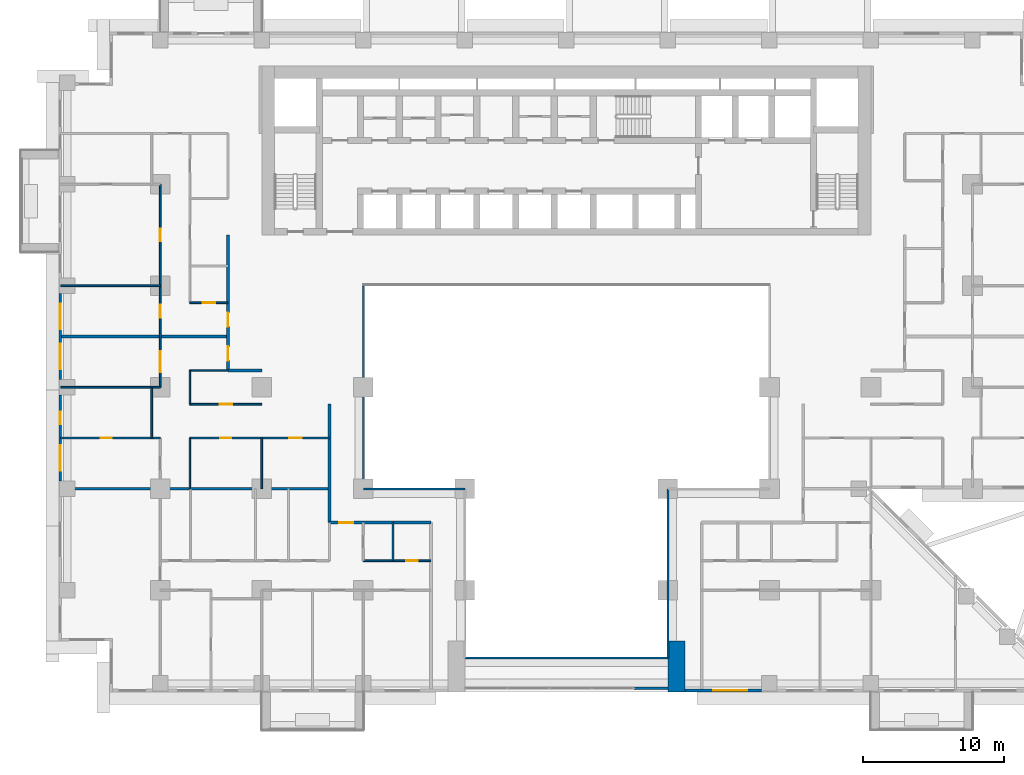
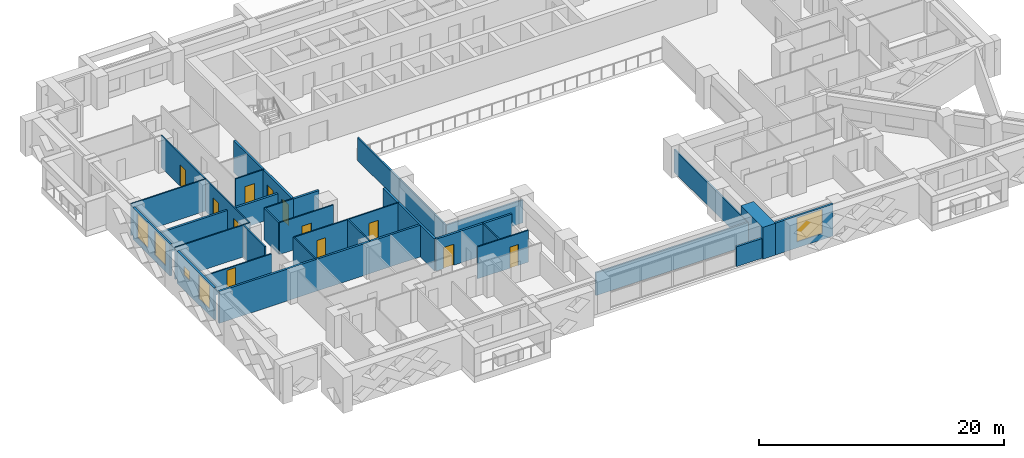
# One storey, part 7 of 17: 29 walls, 12 doors, 5 windows, 17 openings.
"""IFC4 building model written with IfcOpenShell, lengths in metres."""

from ifc_helpers import new_model, si_unit, direction, frame, frame_2d, origin, place, context, subcontext, project, spatial, rectangle, extrude, material, layer, layer_set, type_object, element, fill, save


model = new_model("IFC4")

# Units and contexts
model_context = context("Model", 3, precision=1e-05, world=origin(), true_north=direction((0.0, 1.0)))
body_context = subcontext(model_context, "Body", "Model", "MODEL_VIEW")
ifc_project = project(units=[si_unit("LENGTHUNIT", "METRE"), si_unit("AREAUNIT", "SQUARE_METRE"), si_unit("VOLUMEUNIT", "CUBIC_METRE"), si_unit("PLANEANGLEUNIT", "RADIAN"), si_unit("MASSUNIT", "GRAM", prefix="KILO")], contexts=[model_context])

# Site, building, storey
site_placement = place(None, origin())
site = spatial("IfcSite", under=ifc_project, at=site_placement, CompositionType="ELEMENT")
building_placement = place(site_placement, origin())
building = spatial("IfcBuilding", under=site, at=building_placement, Name="Saffron Iwan Residences", CompositionType="ELEMENT")
storey_placement = place(building_placement, frame((0.0, 0.0, 55.0)))
storey = spatial("IfcBuildingStorey", under=building, at=storey_placement, Name="L13", CompositionType="ELEMENT", Elevation=55.0)

# Walls
ifc_material_1 = material(Name="Fire-rated glazing", Category="glass")
ifc_layer_1 = layer(ifc_material_1, 0.14990234375)
ifc_layer_set_1 = layer_set([ifc_layer_1], Name="Fire-rated glazing")
wall_type_1 = type_object("IfcWallType", Name="Atrium glazed screen 150", PredefinedType="SOLIDWALL", material=ifc_layer_set_1)
wall_1_placement = place(storey_placement, frame((43.199951171875, 36.0, 0.0), z_axis=(0.0, 0.0, 1.0), x_axis=(1.0, 0.0, 0.0)))
element("IfcWall", 1, at=wall_1_placement, inside=storey, type_object=wall_type_1, Name="W-L13-SCREEN-h36-43.2", PredefinedType="SOLIDWALL", context=body_context, shape_type="SweptSolid", body=[
    extrude(rectangle(XDim=14.400146484375, YDim=0.14990234375, at=frame_2d((7.2001953125, 0.0))), origin(), (0.0, 0.0, 1.0), 2.280029296875),
])
wall_2_placement = place(storey_placement, frame((36.0, 48.0, 0.0), z_axis=(0.0, 0.0, 1.0), x_axis=(1.0, 0.0, 0.0)))
element("IfcWall", 2, at=wall_2_placement, inside=storey, type_object=wall_type_1, Name="W-L13-SCREEN-h48-36", PredefinedType="SOLIDWALL", context=body_context, shape_type="SweptSolid", body=[
    extrude(rectangle(XDim=7.199951171875, YDim=0.14990234375, at=frame_2d((3.60009765625, 0.0))), origin(), (0.0, 0.0, 1.0), 2.280029296875),
])
wall_3_placement = place(storey_placement, frame((36.0, 48.0, 0.0), z_axis=(0.0, 0.0, 1.0), x_axis=(0.0, 1.0, 0.0)))
element("IfcWall", 3, at=wall_3_placement, inside=storey, type_object=wall_type_1, Name="W-L13-SCREEN-v36-48", PredefinedType="SOLIDWALL", context=body_context, shape_type="SweptSolid", body=[
    extrude(rectangle(XDim=14.39990234375, YDim=0.14990234375, at=frame_2d((7.199951171875, 0.0))), origin(), (0.0, 0.0, 1.0), 2.280029296875),
])
wall_4_placement = place(storey_placement, frame((57.60009765625, 36.0, 0.0), z_axis=(0.0, 0.0, 1.0), x_axis=(0.0, 1.0, 0.0)))
element("IfcWall", 4, at=wall_4_placement, inside=storey, type_object=wall_type_1, Name="W-L13-SCREEN-v57.6-36", PredefinedType="SOLIDWALL", context=body_context, shape_type="SweptSolid", body=[
    extrude(rectangle(XDim=12.0, YDim=0.14990234375, at=frame_2d((6.0, 0.0))), origin(), (0.0, 0.0, 1.0), 2.280029296875),
])

# Wall, openings, windows
ifc_material_2 = material(Name="Concrete C40/50", Category="concrete")
ifc_layer_2 = layer(ifc_material_2, 0.199951171875)
ifc_layer_set_2 = layer_set([ifc_layer_2], Name="Concrete C40/50")
wall_type_2 = type_object("IfcWallType", Name="EXTERNAL WALL 200", PredefinedType="SOLIDWALL", material=ifc_layer_set_2)
wall_5_placement = place(storey_placement, frame((14.5, 61.85009765625, 0.0), z_axis=(0.0, 0.0, 1.0), x_axis=(0.0, -1.0, 0.0)))
wall_5 = element("IfcWall", 5, at=wall_5_placement, inside=storey, type_object=wall_type_2, Name="External wall L13 F8.2", PredefinedType="SOLIDWALL", context=body_context, shape_type="SweptSolid", body=[
    extrude(rectangle(XDim=6.10009765625, YDim=0.199951171875, at=frame_2d((3.050048828125, 0.0))), origin(), (0.0, 0.0, 1.0), 3.179931640625),
])
opening_1_placement = place(wall_5_placement, frame((3.574951171875, 0.0, 0.60009765625)))
opening_1 = element("IfcOpeningElement", 6, at=opening_1_placement, cuts=wall_5, Name="Opening W8", PredefinedType="OPENING", context=body_context, shape_type="SweptSolid", body=[
    extrude(rectangle(XDim=1.800048828125, YDim=2.39990234375, at=frame_2d((0.89990234375, 1.199951171875))), frame((0.0, 0.10986328125, 0.0), z_axis=(0.0, -1.0, 0.0), x_axis=(1.0, 0.0, 0.0)), (0.0, 0.0, 1.0), 0.219970703125),
])
opening_2_placement = place(wall_5_placement, frame((0.72509765625, 0.0, 0.60009765625)))
opening_2 = element("IfcOpeningElement", 7, at=opening_2_placement, cuts=wall_5, Name="Opening W8", PredefinedType="OPENING", context=body_context, shape_type="SweptSolid", body=[
    extrude(rectangle(XDim=1.800048828125, YDim=2.39990234375, at=frame_2d((0.89990234375, 1.199951171875))), frame((0.0, 0.10986328125, 0.0), z_axis=(0.0, -1.0, 0.0), x_axis=(1.0, 0.0, 0.0)), (0.0, 0.0, 1.0), 0.219970703125),
])
ifc_material_3 = material(Name="Clear glass, laminated double glazed", Category="glass")
window_type_1 = type_object("IfcWindowType", Name="WINDOW 1800 x 2400", PartitioningType="DOUBLE_PANEL_VERTICAL", PredefinedType="WINDOW", material=ifc_material_3)
window_1_placement = place(opening_1_placement, origin())
window_1 = element("IfcWindow", 8, at=window_1_placement, inside=storey, type_object=window_type_1, Name="Window L13 F8.0", OverallHeight=2.39990234375, OverallWidth=1.800048828125, PartitioningType="DOUBLE_PANEL_VERTICAL", PredefinedType="WINDOW", context=body_context, shape_type="SweptSolid", body=[
    extrude(rectangle(XDim=1.800048828125, YDim=2.39990234375, at=frame_2d((0.89990234375, 1.199951171875))), frame((0.0, 0.030029296875, 0.0), z_axis=(0.0, -1.0, 0.0), x_axis=(1.0, 0.0, 0.0)), (0.0, 0.0, 1.0), 0.06005859375),
])
fill(opening_1, window_1)
window_2_placement = place(opening_2_placement, origin())
window_2 = element("IfcWindow", 9, at=window_2_placement, inside=storey, type_object=window_type_1, Name="Window L13 F8.1", OverallHeight=2.39990234375, OverallWidth=1.800048828125, PartitioningType="DOUBLE_PANEL_VERTICAL", PredefinedType="WINDOW", context=body_context, shape_type="SweptSolid", body=[
    extrude(rectangle(XDim=1.800048828125, YDim=2.39990234375, at=frame_2d((0.89990234375, 1.199951171875))), frame((0.0, 0.030029296875, 0.0), z_axis=(0.0, -1.0, 0.0), x_axis=(1.0, 0.0, 0.0)), (0.0, 0.0, 1.0), 0.06005859375),
])
fill(opening_2, window_2)

wall_6_placement = place(storey_placement, frame((14.5, 54.64990234375, 0.0), z_axis=(0.0, 0.0, 1.0), x_axis=(0.0, -1.0, 0.0)))
wall_6 = element("IfcWall", 10, at=wall_6_placement, inside=storey, type_object=wall_type_2, Name="External wall L13 F8.3", PredefinedType="SOLIDWALL", context=body_context, shape_type="SweptSolid", body=[
    extrude(rectangle(XDim=6.099853515625, YDim=0.199951171875, at=frame_2d((3.0498046875, 0.0))), origin(), (0.0, 0.0, 1.0), 3.179931640625),
])
opening_3_placement = place(wall_6_placement, frame((3.574951171875, 0.0, 0.60009765625)))
opening_3 = element("IfcOpeningElement", 11, at=opening_3_placement, cuts=wall_6, Name="Opening W8", PredefinedType="OPENING", context=body_context, shape_type="SweptSolid", body=[
    extrude(rectangle(XDim=1.800048828125, YDim=2.39990234375, at=frame_2d((0.89990234375, 1.199951171875))), frame((0.0, 0.10986328125, 0.0), z_axis=(0.0, -1.0, 0.0), x_axis=(1.0, 0.0, 0.0)), (0.0, 0.0, 1.0), 0.219970703125),
])
opening_4_placement = place(wall_6_placement, frame((1.175048828125, 0.0, 1.5)))
opening_4 = element("IfcOpeningElement", 12, at=opening_4_placement, cuts=wall_6, Name="Opening W6", PredefinedType="OPENING", context=body_context, shape_type="SweptSolid", body=[
    extrude(rectangle(XDim=0.89990234375, YDim=0.89990234375, at=frame_2d((0.449951171875, 0.449951171875))), frame((0.0, 0.10986328125, 0.0), z_axis=(0.0, -1.0, 0.0), x_axis=(1.0, 0.0, 0.0)), (0.0, 0.0, 1.0), 0.219970703125),
])
window_3_placement = place(opening_3_placement, origin())
window_3 = element("IfcWindow", 13, at=window_3_placement, inside=storey, type_object=window_type_1, Name="Window L13 F8.0", OverallHeight=2.39990234375, OverallWidth=1.800048828125, PartitioningType="DOUBLE_PANEL_VERTICAL", PredefinedType="WINDOW", context=body_context, shape_type="SweptSolid", body=[
    extrude(rectangle(XDim=1.800048828125, YDim=2.39990234375, at=frame_2d((0.89990234375, 1.199951171875))), frame((0.0, 0.030029296875, 0.0), z_axis=(0.0, -1.0, 0.0), x_axis=(1.0, 0.0, 0.0)), (0.0, 0.0, 1.0), 0.06005859375),
])
fill(opening_3, window_3)
window_type_2 = type_object("IfcWindowType", Name="WINDOW 900 x 900 BATH", PartitioningType="SINGLE_PANEL", PredefinedType="WINDOW", material=ifc_material_3)
window_4_placement = place(opening_4_placement, origin())
window_4 = element("IfcWindow", 14, at=window_4_placement, inside=storey, type_object=window_type_2, Name="Window L13 F8.1", OverallHeight=0.89990234375, OverallWidth=0.89990234375, PartitioningType="SINGLE_PANEL", PredefinedType="WINDOW", context=body_context, shape_type="SweptSolid", body=[
    extrude(rectangle(XDim=0.89990234375, YDim=0.89990234375, at=frame_2d((0.449951171875, 0.449951171875))), frame((0.0, 0.030029296875, 0.0), z_axis=(0.0, -1.0, 0.0), x_axis=(1.0, 0.0, 0.0)), (0.0, 0.0, 1.0), 0.06005859375),
])
fill(opening_4, window_4)

# Wall, opening, window
wall_7_placement = place(storey_placement, frame((58.800048828125, 33.699951171875, 0.0), z_axis=(0.0, 0.0, 1.0), x_axis=(1.0, 0.0, 0.0)))
wall_7 = element("IfcWall", 15, at=wall_7_placement, inside=storey, type_object=wall_type_2, Name="External wall L13 F11.4", PredefinedType="SOLIDWALL", context=body_context, shape_type="SweptSolid", body=[
    extrude(rectangle(XDim=5.449951171875, YDim=0.199951171875, at=frame_2d((2.72509765625, 0.0))), origin(), (0.0, 0.0, 1.0), 3.179931640625),
])
opening_5_placement = place(wall_7_placement, frame((2.02490234375, 0.0, 0.60009765625)))
opening_5 = element("IfcOpeningElement", 16, at=opening_5_placement, cuts=wall_7, Name="Opening W1", PredefinedType="OPENING", context=body_context, shape_type="SweptSolid", body=[
    extrude(rectangle(XDim=2.39990234375, YDim=2.39990234375, at=frame_2d((1.199951171875, 1.199951171875))), frame((0.0, 0.10986328125, 0.0), z_axis=(0.0, -1.0, 0.0), x_axis=(1.0, 0.0, 0.0)), (0.0, 0.0, 1.0), 0.219970703125),
])
window_type_3 = type_object("IfcWindowType", Name="WINDOW 2400 x 2400", PartitioningType="DOUBLE_PANEL_VERTICAL", PredefinedType="WINDOW", material=ifc_material_3)
window_5_placement = place(opening_5_placement, origin())
window_5 = element("IfcWindow", 17, at=window_5_placement, inside=storey, type_object=window_type_3, Name="Window L13 F11.0", OverallHeight=2.39990234375, OverallWidth=2.39990234375, PartitioningType="DOUBLE_PANEL_VERTICAL", PredefinedType="WINDOW", context=body_context, shape_type="SweptSolid", body=[
    extrude(rectangle(XDim=2.39990234375, YDim=2.39990234375, at=frame_2d((1.199951171875, 1.199951171875))), frame((0.0, 0.030029296875, 0.0), z_axis=(0.0, -1.0, 0.0), x_axis=(1.0, 0.0, 0.0)), (0.0, 0.0, 1.0), 0.06005859375),
])
fill(opening_5, window_5)

# Walls
wall_8_placement = place(storey_placement, frame((55.199951171875, 33.85009765625, 0.0), z_axis=(0.0, 0.0, 1.0), x_axis=(1.0, 0.0, 0.0)))
element("IfcWall", 18, at=wall_8_placement, inside=storey, type_object=wall_type_2, Name="External wall infill CWB-L13-0", PredefinedType="SOLIDWALL", context=body_context, shape_type="SweptSolid", body=[
    extrude(rectangle(XDim=2.400146484375, YDim=0.199951171875, at=frame_2d((1.2001953125, 0.0))), origin(), (0.0, 0.0, 1.0), 1.97998046875),
])
ifc_material_4 = material(Name="Fire-rated gypsum board wall")
ifc_layer_3 = layer(ifc_material_4, 0.199951171875)
ifc_layer_set_3 = layer_set([ifc_layer_3], Name="Fire-rated gypsum board wall")
wall_type_3 = type_object("IfcWallType", Name="Flat demising wall 200", PredefinedType="SOLIDWALL", material=ifc_layer_set_3)
wall_9_placement = place(storey_placement, frame((14.52490234375, 48.0, 0.0), z_axis=(0.0, 0.0, 1.0), x_axis=(1.0, 0.0, 0.0)))
element("IfcWall", 19, at=wall_9_placement, inside=storey, type_object=wall_type_3, Name="W-L13-DEMISE-h48-14.525", PredefinedType="SOLIDWALL", context=body_context, shape_type="SweptSolid", body=[
    extrude(rectangle(XDim=19.0751953125, YDim=0.199951171875, at=frame_2d((9.53759765625, 0.0))), origin(), (0.0, 0.0, 1.0), 3.179931640625),
])
wall_10_placement = place(storey_placement, frame((14.52490234375, 58.800048828125, 0.0), z_axis=(0.0, 0.0, 1.0), x_axis=(1.0, 0.0, 0.0)))
element("IfcWall", 20, at=wall_10_placement, inside=storey, type_object=wall_type_3, Name="W-L13-DEMISE-h58.8-14.525", PredefinedType="SOLIDWALL", context=body_context, shape_type="SweptSolid", body=[
    extrude(rectangle(XDim=11.875, YDim=0.199951171875, at=frame_2d((5.9375, 0.0))), origin(), (0.0, 0.0, 1.0), 2.280029296875),
])

# Wall, opening, door
ifc_material_5 = material(Name="Gypsum board partition")
ifc_layer_4 = layer(ifc_material_5, 0.1201171875)
ifc_layer_set_4 = layer_set([ifc_layer_4], Name="Gypsum board partition")
wall_type_4 = type_object("IfcWallType", Name="Flat partition 120", PredefinedType="PARTITIONING", material=ifc_layer_set_4)
wall_11_placement = place(storey_placement, frame((36.0, 42.89990234375, 0.0), z_axis=(0.0, 0.0, 1.0), x_axis=(1.0, 0.0, 0.0)))
wall_11 = element("IfcWall", 21, at=wall_11_placement, inside=storey, type_object=wall_type_4, Name="W-L13-PART-h42.9-36", PredefinedType="PARTITIONING", context=body_context, shape_type="SweptSolid", body=[
    extrude(rectangle(XDim=4.800048828125, YDim=0.1201171875, at=frame_2d((2.39990234375, 0.0))), origin(), (0.0, 0.0, 1.0), 3.179931640625),
])
opening_6_placement = place(wall_11_placement, frame((3.050048828125, 0.0, 0.0)))
opening_6 = element("IfcOpeningElement", 22, at=opening_6_placement, cuts=wall_11, Name="Opening FD3", PredefinedType="OPENING", context=body_context, shape_type="SweptSolid", body=[
    extrude(rectangle(XDim=0.800048828125, YDim=2.10009765625, at=frame_2d((0.39990234375, 1.050048828125))), frame((0.0, 0.070068359375, 0.0), z_axis=(0.0, -1.0, 0.0), x_axis=(1.0, 0.0, 0.0)), (0.0, 0.0, 1.0), 0.14013671875),
])
ifc_material_6 = material(Name="Timber door", Category="wood")
door_type_1 = type_object("IfcDoorType", Name="Bathroom door 800", OperationType="NOTDEFINED", PredefinedType="DOOR", material=ifc_material_6)
door_1_placement = place(opening_6_placement, origin())
door_1 = element("IfcDoor", 23, at=door_1_placement, inside=storey, type_object=door_type_1, Name="Door L13-013", OperationType="SINGLE_SWING_LEFT", OverallHeight=2.10009765625, OverallWidth=0.800048828125, PredefinedType="DOOR", context=body_context, shape_type="SweptSolid", body=[
    extrude(rectangle(XDim=0.800048828125, YDim=2.10009765625, at=frame_2d((0.39990234375, 1.050048828125))), frame((0.0, 0.02490234375, 0.0), z_axis=(0.0, -1.0, 0.0), x_axis=(1.0, 0.0, 0.0)), (0.0, 0.0, 1.0), 0.050048828125),
])
fill(opening_6, door_1)

wall_12_placement = place(storey_placement, frame((14.52490234375, 51.60009765625, 0.0), z_axis=(0.0, 0.0, 1.0), x_axis=(1.0, 0.0, 0.0)))
wall_12 = element("IfcWall", 24, at=wall_12_placement, inside=storey, type_object=wall_type_4, Name="W-L13-PART-h51.6-14.525", PredefinedType="PARTITIONING", context=body_context, shape_type="SweptSolid", body=[
    extrude(rectangle(XDim=7.0751953125, YDim=0.1201171875, at=frame_2d((3.53759765625, 0.0))), origin(), (0.0, 0.0, 1.0), 2.280029296875),
])
opening_7_placement = place(wall_12_placement, frame((2.83740234375, 0.0, 0.0)))
opening_7 = element("IfcOpeningElement", 25, at=opening_7_placement, cuts=wall_12, Name="Opening FD3", PredefinedType="OPENING", context=body_context, shape_type="SweptSolid", body=[
    extrude(rectangle(XDim=0.800048828125, YDim=2.10009765625, at=frame_2d((0.39990234375, 1.050048828125))), frame((0.0, 0.070068359375, 0.0), z_axis=(0.0, -1.0, 0.0), x_axis=(1.0, 0.0, 0.0)), (0.0, 0.0, 1.0), 0.14013671875),
])
door_2_placement = place(opening_7_placement, origin())
door_2 = element("IfcDoor", 26, at=door_2_placement, inside=storey, type_object=door_type_1, Name="Door L13-016", OperationType="SINGLE_SWING_LEFT", OverallHeight=2.10009765625, OverallWidth=0.800048828125, PredefinedType="DOOR", context=body_context, shape_type="SweptSolid", body=[
    extrude(rectangle(XDim=0.800048828125, YDim=2.10009765625, at=frame_2d((0.39990234375, 1.050048828125))), frame((0.0, 0.02490234375, 0.0), z_axis=(0.0, -1.0, 0.0), x_axis=(1.0, 0.0, 0.0)), (0.0, 0.0, 1.0), 0.050048828125),
])
fill(opening_7, door_2)

# Wall, openings, doors
wall_13_placement = place(storey_placement, frame((23.699951171875, 51.60009765625, 0.0), z_axis=(0.0, 0.0, 1.0), x_axis=(1.0, 0.0, 0.0)))
wall_13 = element("IfcWall", 27, at=wall_13_placement, inside=storey, type_object=wall_type_4, Name="W-L13-PART-h51.6-23.7", PredefinedType="PARTITIONING", context=body_context, shape_type="SweptSolid", body=[
    extrude(rectangle(XDim=9.900146484375, YDim=0.1201171875, at=frame_2d((4.9501953125, 0.0))), origin(), (0.0, 0.0, 1.0), 3.179931640625),
])
opening_8_placement = place(wall_13_placement, frame((2.14990234375, 0.0, 0.0)))
opening_8 = element("IfcOpeningElement", 28, at=opening_8_placement, cuts=wall_13, Name="Opening FD3", PredefinedType="OPENING", context=body_context, shape_type="SweptSolid", body=[
    extrude(rectangle(XDim=0.800048828125, YDim=2.10009765625, at=frame_2d((0.39990234375, 1.050048828125))), frame((0.0, 0.070068359375, 0.0), z_axis=(0.0, -1.0, 0.0), x_axis=(1.0, 0.0, 0.0)), (0.0, 0.0, 1.0), 0.14013671875),
])
opening_9_placement = place(wall_13_placement, frame((7.050048828125, 0.0, 0.0)))
opening_9 = element("IfcOpeningElement", 29, at=opening_9_placement, cuts=wall_13, Name="Opening FD2", PredefinedType="OPENING", context=body_context, shape_type="SweptSolid", body=[
    extrude(rectangle(XDim=0.89990234375, YDim=2.10009765625, at=frame_2d((0.449951171875, 1.050048828125))), frame((0.0, 0.070068359375, 0.0), z_axis=(0.0, -1.0, 0.0), x_axis=(1.0, 0.0, 0.0)), (0.0, 0.0, 1.0), 0.14013671875),
])
door_3_placement = place(opening_8_placement, origin())
door_3 = element("IfcDoor", 30, at=door_3_placement, inside=storey, type_object=door_type_1, Name="Door L13-018", OperationType="SINGLE_SWING_RIGHT", OverallHeight=2.10009765625, OverallWidth=0.800048828125, PredefinedType="DOOR", context=body_context, shape_type="SweptSolid", body=[
    extrude(rectangle(XDim=0.800048828125, YDim=2.10009765625, at=frame_2d((0.39990234375, 1.050048828125))), frame((0.0, 0.02490234375, 0.0), z_axis=(0.0, -1.0, 0.0), x_axis=(1.0, 0.0, 0.0)), (0.0, 0.0, 1.0), 0.050048828125),
])
fill(opening_8, door_3)
door_type_2 = type_object("IfcDoorType", Name="Flat door 900", OperationType="NOTDEFINED", PredefinedType="DOOR", material=ifc_material_6)
door_4_placement = place(opening_9_placement, origin())
door_4 = element("IfcDoor", 31, at=door_4_placement, inside=storey, type_object=door_type_2, Name="Door L13-020", OperationType="SINGLE_SWING_LEFT", OverallHeight=2.10009765625, OverallWidth=0.89990234375, PredefinedType="DOOR", context=body_context, shape_type="SweptSolid", body=[
    extrude(rectangle(XDim=0.89990234375, YDim=2.10009765625, at=frame_2d((0.449951171875, 1.050048828125))), frame((0.0, 0.02490234375, 0.0), z_axis=(0.0, -1.0, 0.0), x_axis=(1.0, 0.0, 0.0)), (0.0, 0.0, 1.0), 0.050048828125),
])
fill(opening_9, door_4)

# Wall, opening, door
wall_14_placement = place(storey_placement, frame((23.699951171875, 54.0, 0.0), z_axis=(0.0, 0.0, 1.0), x_axis=(1.0, 0.0, 0.0)))
wall_14 = element("IfcWall", 32, at=wall_14_placement, inside=storey, type_object=wall_type_4, Name="W-L13-PART-h54-23.7", PredefinedType="PARTITIONING", context=body_context, shape_type="SweptSolid", body=[
    extrude(rectangle(XDim=5.10009765625, YDim=0.1201171875, at=frame_2d((2.550048828125, 0.0))), origin(), (0.0, 0.0, 1.0), 3.179931640625),
])
opening_10_placement = place(wall_14_placement, frame((2.10009765625, 0.0, 0.0)))
opening_10 = element("IfcOpeningElement", 33, at=opening_10_placement, cuts=wall_14, Name="Opening FD2", PredefinedType="OPENING", context=body_context, shape_type="SweptSolid", body=[
    extrude(rectangle(XDim=0.89990234375, YDim=2.10009765625, at=frame_2d((0.449951171875, 1.050048828125))), frame((0.0, 0.070068359375, 0.0), z_axis=(0.0, -1.0, 0.0), x_axis=(1.0, 0.0, 0.0)), (0.0, 0.0, 1.0), 0.14013671875),
])
door_5_placement = place(opening_10_placement, origin())
door_5 = element("IfcDoor", 34, at=door_5_placement, inside=storey, type_object=door_type_2, Name="Door L13-019", OperationType="SINGLE_SWING_LEFT", OverallHeight=2.10009765625, OverallWidth=0.89990234375, PredefinedType="DOOR", context=body_context, shape_type="SweptSolid", body=[
    extrude(rectangle(XDim=0.89990234375, YDim=2.10009765625, at=frame_2d((0.449951171875, 1.050048828125))), frame((0.0, 0.02490234375, 0.0), z_axis=(0.0, -1.0, 0.0), x_axis=(1.0, 0.0, 0.0)), (0.0, 0.0, 1.0), 0.050048828125),
])
fill(opening_10, door_5)

# Walls
wall_15_placement = place(storey_placement, frame((14.52490234375, 55.199951171875, 0.0), z_axis=(0.0, 0.0, 1.0), x_axis=(1.0, 0.0, 0.0)))
element("IfcWall", 35, at=wall_15_placement, inside=storey, type_object=wall_type_4, Name="W-L13-PART-h55.2-14.525", PredefinedType="PARTITIONING", context=body_context, shape_type="SweptSolid", body=[
    extrude(rectangle(XDim=7.0751953125, YDim=0.1201171875, at=frame_2d((3.53759765625, 0.0))), origin(), (0.0, 0.0, 1.0), 3.179931640625),
])
wall_16_placement = place(storey_placement, frame((23.699951171875, 56.39990234375, 0.0), z_axis=(0.0, 0.0, 1.0), x_axis=(1.0, 0.0, 0.0)))
element("IfcWall", 36, at=wall_16_placement, inside=storey, type_object=wall_type_4, Name="W-L13-PART-h56.4-23.7", PredefinedType="PARTITIONING", context=body_context, shape_type="SweptSolid", body=[
    extrude(rectangle(XDim=2.699951171875, YDim=0.1201171875, at=frame_2d((1.35009765625, 0.0))), origin(), (0.0, 0.0, 1.0), 3.179931640625),
])

# Wall, opening, door
wall_17_placement = place(storey_placement, frame((23.699951171875, 61.199951171875, 0.0), z_axis=(0.0, 0.0, 1.0), x_axis=(1.0, 0.0, 0.0)))
wall_17 = element("IfcWall", 37, at=wall_17_placement, inside=storey, type_object=wall_type_4, Name="W-L13-PART-h61.2-23.7", PredefinedType="PARTITIONING", context=body_context, shape_type="SweptSolid", body=[
    extrude(rectangle(XDim=2.699951171875, YDim=0.1201171875, at=frame_2d((1.35009765625, 0.0))), origin(), (0.0, 0.0, 1.0), 3.179931640625),
])
opening_11_placement = place(wall_17_placement, frame((0.89990234375, 0.0, 0.0)))
opening_11 = element("IfcOpeningElement", 38, at=opening_11_placement, cuts=wall_17, Name="Opening FD2", PredefinedType="OPENING", context=body_context, shape_type="SweptSolid", body=[
    extrude(rectangle(XDim=0.89990234375, YDim=2.10009765625, at=frame_2d((0.449951171875, 1.050048828125))), frame((0.0, 0.070068359375, 0.0), z_axis=(0.0, -1.0, 0.0), x_axis=(1.0, 0.0, 0.0)), (0.0, 0.0, 1.0), 0.14013671875),
])
door_6_placement = place(opening_11_placement, origin())
door_6 = element("IfcDoor", 39, at=door_6_placement, inside=storey, type_object=door_type_2, Name="Door L13-033", OperationType="SINGLE_SWING_RIGHT", OverallHeight=2.10009765625, OverallWidth=0.89990234375, PredefinedType="DOOR", context=body_context, shape_type="SweptSolid", body=[
    extrude(rectangle(XDim=0.89990234375, YDim=2.10009765625, at=frame_2d((0.449951171875, 1.050048828125))), frame((0.0, 0.02490234375, 0.0), z_axis=(0.0, -1.0, 0.0), x_axis=(1.0, 0.0, 0.0)), (0.0, 0.0, 1.0), 0.050048828125),
])
fill(opening_11, door_6)

# Walls
wall_18_placement = place(storey_placement, frame((14.52490234375, 62.39990234375, 0.0), z_axis=(0.0, 0.0, 1.0), x_axis=(1.0, 0.0, 0.0)))
element("IfcWall", 40, at=wall_18_placement, inside=storey, type_object=wall_type_4, Name="W-L13-PART-h62.4-14.525", PredefinedType="PARTITIONING", context=body_context, shape_type="SweptSolid", body=[
    extrude(rectangle(XDim=7.0751953125, YDim=0.1201171875, at=frame_2d((3.53759765625, 0.0))), origin(), (0.0, 0.0, 1.0), 3.179931640625),
])
wall_19_placement = place(storey_placement, frame((21.0, 51.60009765625, 0.0), z_axis=(0.0, 0.0, 1.0), x_axis=(0.0, 1.0, 0.0)))
element("IfcWall", 41, at=wall_19_placement, inside=storey, type_object=wall_type_4, Name="W-L13-PART-v21-51.6", PredefinedType="PARTITIONING", context=body_context, shape_type="SweptSolid", body=[
    extrude(rectangle(XDim=3.599853515625, YDim=0.1201171875, at=frame_2d((1.7998046875, 0.0))), origin(), (0.0, 0.0, 1.0), 3.179931640625),
])

# Wall, openings, doors
wall_20_placement = place(storey_placement, frame((21.60009765625, 55.199951171875, 0.0), z_axis=(0.0, 0.0, 1.0), x_axis=(0.0, 1.0, 0.0)))
wall_20 = element("IfcWall", 42, at=wall_20_placement, inside=storey, type_object=wall_type_4, Name="W-L13-PART-v21.6-55.2", PredefinedType="PARTITIONING", context=body_context, shape_type="SweptSolid", body=[
    extrude(rectangle(XDim=14.400146484375, YDim=0.1201171875, at=frame_2d((7.2001953125, 0.0))), origin(), (0.0, 0.0, 1.0), 3.179931640625),
])
opening_12_placement = place(wall_20_placement, frame((1.050048828125, 0.0, 0.0)))
opening_12 = element("IfcOpeningElement", 43, at=opening_12_placement, cuts=wall_20, Name="Opening FD4", PredefinedType="OPENING", context=body_context, shape_type="SweptSolid", body=[
    extrude(rectangle(XDim=1.5, YDim=2.10009765625, at=frame_2d((0.75, 1.050048828125))), frame((0.0, 0.070068359375, 0.0), z_axis=(0.0, -1.0, 0.0), x_axis=(1.0, 0.0, 0.0)), (0.0, 0.0, 1.0), 0.14013671875),
])
opening_13_placement = place(wall_20_placement, frame((4.949951171875, 0.0, 0.0)))
opening_13 = element("IfcOpeningElement", 44, at=opening_13_placement, cuts=wall_20, Name="Opening FD2", PredefinedType="OPENING", context=body_context, shape_type="SweptSolid", body=[
    extrude(rectangle(XDim=0.89990234375, YDim=2.10009765625, at=frame_2d((0.449951171875, 1.050048828125))), frame((0.0, 0.070068359375, 0.0), z_axis=(0.0, -1.0, 0.0), x_axis=(1.0, 0.0, 0.0)), (0.0, 0.0, 1.0), 0.14013671875),
])
opening_14_placement = place(wall_20_placement, frame((10.35009765625, 0.0, 0.0)))
opening_14 = element("IfcOpeningElement", 45, at=opening_14_placement, cuts=wall_20, Name="Opening FD2", PredefinedType="OPENING", context=body_context, shape_type="SweptSolid", body=[
    extrude(rectangle(XDim=0.89990234375, YDim=2.10009765625, at=frame_2d((0.449951171875, 1.050048828125))), frame((0.0, 0.070068359375, 0.0), z_axis=(0.0, -1.0, 0.0), x_axis=(1.0, 0.0, 0.0)), (0.0, 0.0, 1.0), 0.14013671875),
])
door_type_3 = type_object("IfcDoorType", Name="Double door 1500", OperationType="NOTDEFINED", PredefinedType="DOOR", material=ifc_material_6)
door_7_placement = place(opening_12_placement, origin())
door_7 = element("IfcDoor", 46, at=door_7_placement, inside=storey, type_object=door_type_3, Name="Door L13-017", OperationType="SINGLE_SWING_LEFT", OverallHeight=2.10009765625, OverallWidth=1.5, PredefinedType="DOOR", context=body_context, shape_type="SweptSolid", body=[
    extrude(rectangle(XDim=1.5, YDim=2.10009765625, at=frame_2d((0.75, 1.050048828125))), frame((0.0, 0.02490234375, 0.0), z_axis=(0.0, -1.0, 0.0), x_axis=(1.0, 0.0, 0.0)), (0.0, 0.0, 1.0), 0.050048828125),
])
fill(opening_12, door_7)
door_8_placement = place(opening_13_placement, origin())
door_8 = element("IfcDoor", 47, at=door_8_placement, inside=storey, type_object=door_type_2, Name="Door L13-029", OperationType="SINGLE_SWING_LEFT", OverallHeight=2.10009765625, OverallWidth=0.89990234375, PredefinedType="DOOR", context=body_context, shape_type="SweptSolid", body=[
    extrude(rectangle(XDim=0.89990234375, YDim=2.10009765625, at=frame_2d((0.449951171875, 1.050048828125))), frame((0.0, 0.02490234375, 0.0), z_axis=(0.0, -1.0, 0.0), x_axis=(1.0, 0.0, 0.0)), (0.0, 0.0, 1.0), 0.050048828125),
])
fill(opening_13, door_8)
door_9_placement = place(opening_14_placement, origin())
door_9 = element("IfcDoor", 48, at=door_9_placement, inside=storey, type_object=door_type_2, Name="Door L13-030", OperationType="SINGLE_SWING_RIGHT", OverallHeight=2.10009765625, OverallWidth=0.89990234375, PredefinedType="DOOR", context=body_context, shape_type="SweptSolid", body=[
    extrude(rectangle(XDim=0.89990234375, YDim=2.10009765625, at=frame_2d((0.449951171875, 1.050048828125))), frame((0.0, 0.02490234375, 0.0), z_axis=(0.0, -1.0, 0.0), x_axis=(1.0, 0.0, 0.0)), (0.0, 0.0, 1.0), 0.050048828125),
])
fill(opening_14, door_9)

# Walls
wall_21_placement = place(storey_placement, frame((23.699951171875, 48.0, 0.0), z_axis=(0.0, 0.0, 1.0), x_axis=(0.0, 1.0, 0.0)))
element("IfcWall", 49, at=wall_21_placement, inside=storey, type_object=wall_type_4, Name="W-L13-PART-v23.7-48", PredefinedType="PARTITIONING", context=body_context, shape_type="SweptSolid", body=[
    extrude(rectangle(XDim=3.60009765625, YDim=0.1201171875, at=frame_2d((1.800048828125, 0.0))), origin(), (0.0, 0.0, 1.0), 3.179931640625),
])
wall_22_placement = place(storey_placement, frame((23.699951171875, 54.0, 0.0), z_axis=(0.0, 0.0, 1.0), x_axis=(0.0, 1.0, 0.0)))
element("IfcWall", 50, at=wall_22_placement, inside=storey, type_object=wall_type_4, Name="W-L13-PART-v23.7-54", PredefinedType="PARTITIONING", context=body_context, shape_type="SweptSolid", body=[
    extrude(rectangle(XDim=2.39990234375, YDim=0.1201171875, at=frame_2d((1.199951171875, 0.0))), origin(), (0.0, 0.0, 1.0), 3.179931640625),
])
wall_23_placement = place(storey_placement, frame((28.800048828125, 48.0, 0.0), z_axis=(0.0, 0.0, 1.0), x_axis=(0.0, 1.0, 0.0)))
element("IfcWall", 51, at=wall_23_placement, inside=storey, type_object=wall_type_4, Name="W-L13-PART-v28.8-48", PredefinedType="PARTITIONING", context=body_context, shape_type="SweptSolid", body=[
    extrude(rectangle(XDim=3.60009765625, YDim=0.1201171875, at=frame_2d((1.800048828125, 0.0))), origin(), (0.0, 0.0, 1.0), 3.179931640625),
])
wall_24_placement = place(storey_placement, frame((38.10009765625, 42.89990234375, 0.0), z_axis=(0.0, 0.0, 1.0), x_axis=(0.0, 1.0, 0.0)))
element("IfcWall", 52, at=wall_24_placement, inside=storey, type_object=wall_type_4, Name="W-L13-PART-v38.1-42.9", PredefinedType="PARTITIONING", context=body_context, shape_type="SweptSolid", body=[
    extrude(rectangle(XDim=2.7001953125, YDim=0.1201171875, at=frame_2d((1.35009765625, 0.0))), origin(), (0.0, 0.0, 1.0), 3.179931640625),
])

# Wall, opening, door
ifc_layer_5 = layer(ifc_material_4, 0.199951171875)
ifc_layer_set_5 = layer_set([ifc_layer_5], Name="Fire-rated gypsum board wall")
wall_type_5 = type_object("IfcWallType", Name="Gallery wall 200", PredefinedType="SOLIDWALL", material=ifc_layer_set_5)
wall_25_placement = place(storey_placement, frame((33.60009765625, 45.60009765625, 0.0), z_axis=(0.0, 0.0, 1.0), x_axis=(1.0, 0.0, 0.0)))
wall_25 = element("IfcWall", 53, at=wall_25_placement, inside=storey, type_object=wall_type_5, Name="W-L13-CORR-h45.6-33.6", PredefinedType="SOLIDWALL", context=body_context, shape_type="SweptSolid", body=[
    extrude(rectangle(XDim=7.199951171875, YDim=0.199951171875, at=frame_2d((3.60009765625, 0.0))), origin(), (0.0, 0.0, 1.0), 3.179931640625),
])
opening_15_placement = place(wall_25_placement, frame((0.699951171875, 0.0, 0.0)))
opening_15 = element("IfcOpeningElement", 54, at=opening_15_placement, cuts=wall_25, Name="Opening FD1", PredefinedType="OPENING", context=body_context, shape_type="SweptSolid", body=[
    extrude(rectangle(XDim=1.0, YDim=2.10009765625, at=frame_2d((0.5, 1.050048828125))), frame((0.0, 0.10986328125, 0.0), z_axis=(0.0, -1.0, 0.0), x_axis=(1.0, 0.0, 0.0)), (0.0, 0.0, 1.0), 0.219970703125),
])
ifc_material_7 = material(Name="Fire-rated timber door", Category="wood")
door_type_4 = type_object("IfcDoorType", Name="FD30S flat entrance door 1000", OperationType="NOTDEFINED", PredefinedType="DOOR", material=ifc_material_7)
door_10_placement = place(opening_15_placement, origin())
door_10 = element("IfcDoor", 55, at=door_10_placement, inside=storey, type_object=door_type_4, Name="Door L13-001", OperationType="SINGLE_SWING_LEFT", OverallHeight=2.10009765625, OverallWidth=1.0, PredefinedType="DOOR", context=body_context, shape_type="SweptSolid", body=[
    extrude(rectangle(XDim=1.0, YDim=2.10009765625, at=frame_2d((0.5, 1.050048828125))), frame((0.0, 0.02490234375, 0.0), z_axis=(0.0, -1.0, 0.0), x_axis=(1.0, 0.0, 0.0)), (0.0, 0.0, 1.0), 0.050048828125),
])
fill(opening_15, door_10)

# Wall
wall_26_placement = place(storey_placement, frame((26.39990234375, 56.39990234375, 0.0), z_axis=(0.0, 0.0, 1.0), x_axis=(1.0, 0.0, 0.0)))
element("IfcWall", 56, at=wall_26_placement, inside=storey, type_object=wall_type_5, Name="W-L13-CORR-h56.4-26.4", PredefinedType="SOLIDWALL", context=body_context, shape_type="SweptSolid", body=[
    extrude(rectangle(XDim=2.400146484375, YDim=0.199951171875, at=frame_2d((1.2001953125, 0.0))), origin(), (0.0, 0.0, 1.0), 3.179931640625),
])

# Wall, openings, doors
wall_27_placement = place(storey_placement, frame((26.39990234375, 56.39990234375, 0.0), z_axis=(0.0, 0.0, 1.0), x_axis=(0.0, 1.0, 0.0)))
wall_27 = element("IfcWall", 57, at=wall_27_placement, inside=storey, type_object=wall_type_5, Name="W-L13-CORR-v26.4-56.4", PredefinedType="SOLIDWALL", context=body_context, shape_type="SweptSolid", body=[
    extrude(rectangle(XDim=9.60009765625, YDim=0.199951171875, at=frame_2d((4.800048828125, 0.0))), origin(), (0.0, 0.0, 1.0), 3.179931640625),
])
opening_16_placement = place(wall_27_placement, frame((0.699951171875, 0.0, 0.0)))
opening_16 = element("IfcOpeningElement", 58, at=opening_16_placement, cuts=wall_27, Name="Opening FD1", PredefinedType="OPENING", context=body_context, shape_type="SweptSolid", body=[
    extrude(rectangle(XDim=1.0, YDim=2.10009765625, at=frame_2d((0.5, 1.050048828125))), frame((0.0, 0.10986328125, 0.0), z_axis=(0.0, -1.0, 0.0), x_axis=(1.0, 0.0, 0.0)), (0.0, 0.0, 1.0), 0.219970703125),
])
opening_17_placement = place(wall_27_placement, frame((3.10009765625, 0.0, 0.0)))
opening_17 = element("IfcOpeningElement", 59, at=opening_17_placement, cuts=wall_27, Name="Opening FD1", PredefinedType="OPENING", context=body_context, shape_type="SweptSolid", body=[
    extrude(rectangle(XDim=1.0, YDim=2.10009765625, at=frame_2d((0.5, 1.050048828125))), frame((0.0, 0.10986328125, 0.0), z_axis=(0.0, -1.0, 0.0), x_axis=(1.0, 0.0, 0.0)), (0.0, 0.0, 1.0), 0.219970703125),
])
door_11_placement = place(opening_16_placement, origin())
door_11 = element("IfcDoor", 60, at=door_11_placement, inside=storey, type_object=door_type_4, Name="Door L13-014", OperationType="SINGLE_SWING_LEFT", OverallHeight=2.10009765625, OverallWidth=1.0, PredefinedType="DOOR", context=body_context, shape_type="SweptSolid", body=[
    extrude(rectangle(XDim=1.0, YDim=2.10009765625, at=frame_2d((0.5, 1.050048828125))), frame((0.0, 0.02490234375, 0.0), z_axis=(0.0, -1.0, 0.0), x_axis=(1.0, 0.0, 0.0)), (0.0, 0.0, 1.0), 0.050048828125),
])
fill(opening_16, door_11)
door_12_placement = place(opening_17_placement, origin())
door_12 = element("IfcDoor", 61, at=door_12_placement, inside=storey, type_object=door_type_4, Name="Door L13-028", OperationType="SINGLE_SWING_LEFT", OverallHeight=2.10009765625, OverallWidth=1.0, PredefinedType="DOOR", context=body_context, shape_type="SweptSolid", body=[
    extrude(rectangle(XDim=1.0, YDim=2.10009765625, at=frame_2d((0.5, 1.050048828125))), frame((0.0, 0.02490234375, 0.0), z_axis=(0.0, -1.0, 0.0), x_axis=(1.0, 0.0, 0.0)), (0.0, 0.0, 1.0), 0.050048828125),
])
fill(opening_17, door_12)

# Walls
wall_28_placement = place(storey_placement, frame((33.60009765625, 45.60009765625, 0.0), z_axis=(0.0, 0.0, 1.0), x_axis=(0.0, 1.0, 0.0)))
element("IfcWall", 62, at=wall_28_placement, inside=storey, type_object=wall_type_5, Name="W-L13-CORR-v33.6-45.6", PredefinedType="SOLIDWALL", context=body_context, shape_type="SweptSolid", body=[
    extrude(rectangle(XDim=8.39990234375, YDim=0.199951171875, at=frame_2d((4.199951171875, 0.0))), origin(), (0.0, 0.0, 1.0), 3.179931640625),
])
ifc_material_8 = material(Name="Concrete C60/75", Category="concrete")
ifc_layer_6 = layer(ifc_material_8, 1.199951171875)
ifc_layer_set_6 = layer_set([ifc_layer_6], Name="Concrete C60/75")
wall_type_6 = type_object("IfcWallType", Name="WALL IWAN PIER 1200 C60/75 3180 HIGH", PredefinedType="SHEAR", material=ifc_layer_set_6)
wall_29_placement = place(storey_placement, frame((58.199951171875, 33.60009765625, 0.0), z_axis=(0.0, 0.0, 1.0), x_axis=(0.0, 1.0, 0.0)))
element("IfcWall", 63, at=wall_29_placement, inside=storey, type_object=wall_type_6, Name="IWAN PIER", PredefinedType="SHEAR", context=body_context, shape_type="SweptSolid", body=[
    extrude(rectangle(XDim=3.599853515625, YDim=1.199951171875, at=frame_2d((1.7998046875, 0.0))), origin(), (0.0, 0.0, 1.0), 3.179931640625),
])

save(model, "model.ifc")
